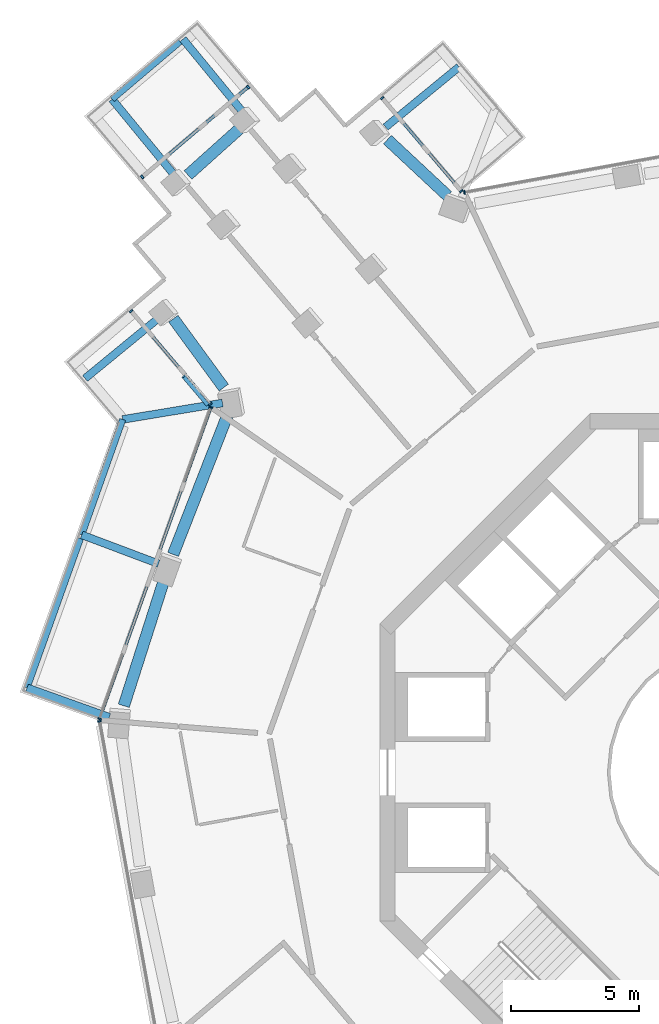
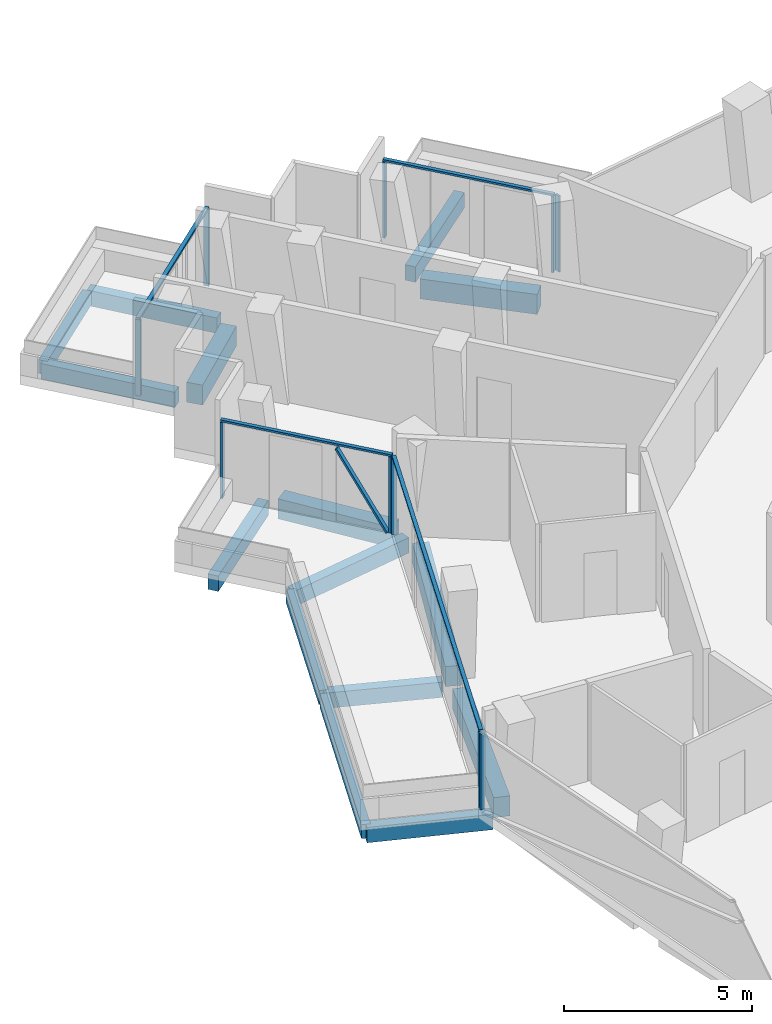
# One storey, part 5 of 21: 15 beams, 15 members, 6 elements without a shape of their own.
"""IFC4 building model written with IfcOpenShell, lengths in metres."""

from ifc_helpers import new_model, si_unit, direction, frame, origin, origin_2d, place, context, subcontext, project, spatial, rectangle, extrude, material, layer, layer_set, material_profile, profile_set, type_object, element, aggregate, save


model = new_model("IFC4")

# Units and contexts
model_context = context("Model", 3, precision=1e-05, world=origin(), true_north=direction((0.0, 1.0)))
body_context = subcontext(model_context, "Body", "Model", "MODEL_VIEW")
ifc_project = project(units=[si_unit("LENGTHUNIT", "METRE"), si_unit("AREAUNIT", "SQUARE_METRE"), si_unit("VOLUMEUNIT", "CUBIC_METRE"), si_unit("PLANEANGLEUNIT", "RADIAN"), si_unit("MASSUNIT", "GRAM", prefix="KILO")], contexts=[model_context])

# Site, building, storey
site_placement = place(None, origin())
site = spatial("IfcSite", under=ifc_project, at=site_placement, CompositionType="ELEMENT")
building_placement = place(site_placement, origin())
building = spatial("IfcBuilding", under=site, at=building_placement, Name="Verdalira Terraces Hotel", CompositionType="ELEMENT")
storey_placement = place(building_placement, frame((0.0, 0.0, 197.5)))
storey = spatial("IfcBuildingStorey", under=building, at=storey_placement, Name="L48", CompositionType="ELEMENT", Elevation=197.5)

# Beams
ifc_material_1 = material(Name="Concrete C40", Category="concrete")
ifc_material_profile_1 = material_profile(ifc_material_1, rectangle(XDim=0.300049, YDim=0.5, at=origin_2d()), Name="RC 300X500")
ifc_profile_set_1 = profile_set([ifc_material_profile_1], Name="Concrete C40")
beam_type_1 = type_object("IfcBeamType", Name="Balcony cantilever beam RC 300X500 C40", PredefinedType="BEAM", material=ifc_profile_set_1)
beam_1_placement = place(storey_placement, frame((-13.774902, 25.181396, -0.560059), z_axis=(0.773188394, 0.634176401, 0.0), x_axis=(-0.634176401, 0.773188394, 0.0)))
element("IfcBeam", 1, at=beam_1_placement, inside=storey, type_object=beam_type_1, Name="Balcony cantilever beam R00-2", PredefinedType="BEAM", context=body_context, shape_type="SweptSolid", body=[
    extrude(rectangle(XDim=0.300049, YDim=0.5, at=origin_2d()), origin(), (0.0, 0.0, 1.0), 3.709229),
])
beam_2_placement = place(storey_placement, frame((-19.332764, 25.751709, -0.560059), z_axis=(-0.634184359, 0.773181866, 0.0), x_axis=(-0.773181866, -0.634184359, 0.0)))
element("IfcBeam", 2, at=beam_2_placement, inside=storey, type_object=beam_type_1, Name="Balcony cantilever beam R05-1", PredefinedType="BEAM", context=body_context, shape_type="SweptSolid", body=[
    extrude(rectangle(XDim=0.300049, YDim=0.5, at=origin_2d()), origin(), (0.0, 0.0, 1.0), 3.706055),
])
beam_3_placement = place(storey_placement, frame((-22.032715, 23.322998, -0.560059), z_axis=(-0.634210583, 0.773160356, 0.0), x_axis=(-0.773160356, -0.634210583, 0.0)))
element("IfcBeam", 3, at=beam_3_placement, inside=storey, type_object=beam_type_1, Name="Balcony cantilever beam R05-2", PredefinedType="BEAM", context=body_context, shape_type="SweptSolid", body=[
    extrude(rectangle(XDim=0.300049, YDim=0.5, at=origin_2d()), origin(), (0.0, 0.0, 1.0), 3.811035),
])
beam_4_placement = place(storey_placement, frame((-20.139404, 14.415283, -0.560059), z_axis=(-0.986678099, -0.162684756, 0.0), x_axis=(0.162684756, -0.986678099, 0.0)))
element("IfcBeam", 4, at=beam_4_placement, inside=storey, type_object=beam_type_1, Name="Balcony cantilever beam R10-1", PredefinedType="BEAM", context=body_context, shape_type="SweptSolid", body=[
    extrude(rectangle(XDim=0.300049, YDim=0.5, at=origin_2d()), origin(), (0.0, 0.0, 1.0), 3.949951),
])
beam_5_placement = place(storey_placement, frame((-22.638672, 8.141357, -0.560059), z_axis=(-0.935823539, 0.35246887, 0.0), x_axis=(-0.35246887, -0.935823539, 0.0)))
element("IfcBeam", 5, at=beam_5_placement, inside=storey, type_object=beam_type_1, Name="Balcony cantilever beam R10-2", PredefinedType="BEAM", context=body_context, shape_type="SweptSolid", body=[
    extrude(rectangle(XDim=0.300049, YDim=0.5, at=origin_2d()), origin(), (0.0, 0.0, 1.0), 3.200684),
])
beam_6_placement = place(storey_placement, frame((-24.558838, 2.153809, -0.560059), z_axis=(-0.941613831, 0.336694806, 0.0), x_axis=(-0.336694806, -0.941613831, 0.0)))
element("IfcBeam", 6, at=beam_6_placement, inside=storey, type_object=beam_type_1, Name="Balcony cantilever beam R10-3", PredefinedType="BEAM", context=body_context, shape_type="SweptSolid", body=[
    extrude(rectangle(XDim=0.300049, YDim=0.5, at=origin_2d()), origin(), (0.0, 0.0, 1.0), 3.408691),
])
beam_7_placement = place(storey_placement, frame((-22.588867, 17.763916, -0.560059), z_axis=(-0.773163693, -0.634206515, 0.0), x_axis=(0.634206515, -0.773163693, 0.0)))
element("IfcBeam", 7, at=beam_7_placement, inside=storey, type_object=beam_type_1, Name="Balcony cantilever beam R10-4", PredefinedType="BEAM", context=body_context, shape_type="SweptSolid", body=[
    extrude(rectangle(XDim=0.300049, YDim=0.5, at=origin_2d()), origin(), (0.0, 0.0, 1.0), 3.772217),
])
ifc_material_2 = material(Name="Concrete C40", Category="concrete")
ifc_material_profile_2 = material_profile(ifc_material_2, rectangle(XDim=0.25, YDim=0.449951, at=origin_2d()), Name="RC 250X450")
ifc_profile_set_2 = profile_set([ifc_material_profile_2], Name="Concrete C40")
beam_type_2 = type_object("IfcBeamType", Name="Balcony edge beam RC 250X450 C40", PredefinedType="BEAM", material=ifc_profile_set_2)
beam_8_placement = place(storey_placement, frame((-21.797607, 28.520264, -0.534912), z_axis=(-0.762443029, -0.647055351, 0.0), x_axis=(0.647055351, -0.762443029, 0.0)))
element("IfcBeam", 8, at=beam_8_placement, inside=storey, type_object=beam_type_2, Name="Balcony edge beam R05-1", PredefinedType="BEAM", context=body_context, shape_type="SweptSolid", body=[
    extrude(rectangle(XDim=0.25, YDim=0.449951, at=origin_2d()), origin(), (0.0, 0.0, 1.0), 3.478516),
])
beam_9_placement = place(storey_placement, frame((-24.036621, 13.772705, -0.534912), z_axis=(-0.33431908, -0.942459947, 0.0), x_axis=(0.942459947, -0.33431908, 0.0)))
element("IfcBeam", 9, at=beam_9_placement, inside=storey, type_object=beam_type_2, Name="Balcony edge beam R10-1", PredefinedType="BEAM", context=body_context, shape_type="SweptSolid", body=[
    extrude(rectangle(XDim=0.25, YDim=0.449951, at=origin_2d()), origin(), (0.0, 0.0, 1.0), 4.778076),
])
beam_10_placement = place(storey_placement, frame((-25.68457, 9.128418, -0.534912), z_axis=(-0.336758727, -0.941590973, 0.0), x_axis=(0.941590973, -0.336758727, 0.0)))
element("IfcBeam", 10, at=beam_10_placement, inside=storey, type_object=beam_type_2, Name="Balcony edge beam R10-2", PredefinedType="BEAM", context=body_context, shape_type="SweptSolid", body=[
    extrude(rectangle(XDim=0.25, YDim=0.449951, at=origin_2d()), origin(), (0.0, 0.0, 1.0), 6.188477),
])

# Curtain wall, members
ifc_material_3 = material(Name="Clear glass", Category="glass")
ifc_layer_1 = layer(ifc_material_3, 0.14990234375)
ifc_layer_set_1 = layer_set([ifc_layer_1], Name="CW1 curtain wall")
curtain_wall_type_1 = type_object("IfcCurtainWallType", Name="CW1 curtain wall", PredefinedType="NOTDEFINED", material=ifc_layer_set_1)
curtain_wall_1_placement = place(storey_placement, origin())
curtain_wall_1 = element("IfcCurtainWall", 11, at=curtain_wall_1_placement, inside=storey, type_object=curtain_wall_type_1, Name="CW1 curtain wall L48 edge 11", PredefinedType="NOTDEFINED")
ifc_material_4 = material(Name="Terracotta frame", Category="masonry")
ifc_material_profile_3 = material_profile(ifc_material_4, rectangle(XDim=0.060059, YDim=0.149902, at=origin_2d()), Name="MU 60x150")
ifc_profile_set_3 = profile_set([ifc_material_profile_3], Name="Terracotta frame")
member_type_1 = type_object("IfcMemberType", Name="CW1 mullion 60x150", PredefinedType="MULLION", material=ifc_profile_set_3)
member_1_placement = place(storey_placement, frame((-20.591797, 14.236328, 0.0), z_axis=(0.0, 0.0, 1.0), x_axis=(-0.336766603, -0.941588156, 0.0)))
member_1 = element("IfcMember", 12, at=member_1_placement, type_object=member_type_1, Name="CW1 mullion", PredefinedType="MULLION", context=body_context, shape_type="SweptSolid", body=[
    extrude(rectangle(XDim=0.060059, YDim=0.149902, at=origin_2d()), origin(), (0.0, 0.0, 1.0), 2.475098),
])
member_2_placement = place(storey_placement, frame((-24.936035, 2.089844, 0.0), z_axis=(0.0, 0.0, 1.0), x_axis=(-0.336766603, -0.941588156, 0.0)))
member_2 = element("IfcMember", 13, at=member_2_placement, type_object=member_type_1, Name="CW1 mullion", PredefinedType="MULLION", context=body_context, shape_type="SweptSolid", body=[
    extrude(rectangle(XDim=0.060059, YDim=0.149902, at=origin_2d()), origin(), (0.0, 0.0, 1.0), 2.475098),
])

# Curtain wall, member
curtain_wall_2_placement = place(storey_placement, origin())
curtain_wall_2 = element("IfcCurtainWall", 14, at=curtain_wall_2_placement, inside=storey, type_object=curtain_wall_type_1, Name="CW1 curtain wall L48 edge 12", PredefinedType="NOTDEFINED")
member_3_placement = place(storey_placement, frame((-24.944092, 1.993408, 0.0), z_axis=(0.0, 0.0, 1.0), x_axis=(0.179145645, -0.983822564, 0.0)))
member_3 = element("IfcMember", 15, at=member_3_placement, type_object=member_type_1, Name="CW1 mullion", PredefinedType="MULLION", context=body_context, shape_type="SweptSolid", body=[
    extrude(rectangle(XDim=0.060059, YDim=0.149902, at=origin_2d()), origin(), (0.0, 0.0, 1.0), 2.475098),
])
aggregate(curtain_wall_2, [member_3])

curtain_wall_3_placement = place(storey_placement, origin())
curtain_wall_3 = element("IfcCurtainWall", 16, at=curtain_wall_3_placement, inside=storey, type_object=curtain_wall_type_1, Name="CW1 curtain wall L48 edge 41", PredefinedType="NOTDEFINED")
member_4_placement = place(storey_placement, frame((-10.697754, 22.633057, 0.0), z_axis=(0.0, 0.0, 1.0), x_axis=(-0.983822564, -0.179145645, 0.0)))
member_4 = element("IfcMember", 17, at=member_4_placement, type_object=member_type_1, Name="CW1 mullion", PredefinedType="MULLION", context=body_context, shape_type="SweptSolid", body=[
    extrude(rectangle(XDim=0.060059, YDim=0.149902, at=origin_2d()), origin(), (0.0, 0.0, 1.0), 2.475098),
])
aggregate(curtain_wall_3, [member_4])

# Member
ifc_material_5 = material(Name="Terracotta frame", Category="masonry")
ifc_material_profile_4 = material_profile(ifc_material_5, rectangle(XDim=0.110107, YDim=0.064941, at=origin_2d()), Name="TR 65x110")
ifc_profile_set_4 = profile_set([ifc_material_profile_4], Name="Terracotta frame")
member_type_2 = type_object("IfcMemberType", Name="CW1 transom 65x110", PredefinedType="USERDEFINED", material=ifc_profile_set_4)
member_5_placement = place(storey_placement, frame((-20.581787, 14.264404, 2.507568), z_axis=(-0.336775527, -0.941584964, 0.0), x_axis=(0.941584964, -0.336775527, 0.0)))
member_5 = element("IfcMember", 18, at=member_5_placement, type_object=member_type_2, Name="CW1 transom", ObjectType="TRANSOM", PredefinedType="USERDEFINED", context=body_context, shape_type="SweptSolid", body=[
    extrude(rectangle(XDim=0.110107, YDim=0.064941, at=origin_2d()), origin(), (0.0, 0.0, 1.0), 12.959717),
])

aggregate(curtain_wall_1, [member_1, member_2, member_5])

# Curtain wall, members
ifc_material_6 = material(Name="Clear glass", Category="glass")
ifc_layer_2 = layer(ifc_material_6, 0.14990234375)
ifc_layer_set_2 = layer_set([ifc_layer_2], Name="CW2 curtain wall")
curtain_wall_type_2 = type_object("IfcCurtainWallType", Name="CW2 curtain wall", PredefinedType="NOTDEFINED", material=ifc_layer_set_2)
curtain_wall_4_placement = place(storey_placement, origin())
curtain_wall_4 = element("IfcCurtainWall", 19, at=curtain_wall_4_placement, inside=storey, type_object=curtain_wall_type_2, Name="CW2 curtain wall L48 edge 0", PredefinedType="NOTDEFINED")
ifc_material_7 = material(Name="Terracotta frame", Category="masonry")
ifc_material_profile_5 = material_profile(ifc_material_7, rectangle(XDim=0.070068, YDim=0.149902, at=origin_2d()), Name="MU 70x150")
ifc_profile_set_5 = profile_set([ifc_material_profile_5], Name="Terracotta frame")
member_type_3 = type_object("IfcMemberType", Name="CW2 mullion 70x150", PredefinedType="MULLION", material=ifc_profile_set_5)
member_6_placement = place(storey_placement, frame((-10.820557, 22.679688, 0.0), z_axis=(0.0, 0.0, 1.0), x_axis=(-0.647055962, 0.762442511, 0.0)))
member_6 = element("IfcMember", 20, at=member_6_placement, type_object=member_type_3, Name="CW2 mullion", PredefinedType="MULLION", context=body_context, shape_type="SweptSolid", body=[
    extrude(rectangle(XDim=0.070068, YDim=0.149902, at=origin_2d()), origin(), (0.0, 0.0, 1.0), 2.475098),
])
member_7_placement = place(storey_placement, frame((-13.907471, 26.317139, 0.0), z_axis=(0.0, 0.0, 1.0), x_axis=(-0.647055962, 0.762442511, 0.0)))
member_7 = element("IfcMember", 21, at=member_7_placement, type_object=member_type_3, Name="CW2 mullion", PredefinedType="MULLION", context=body_context, shape_type="SweptSolid", body=[
    extrude(rectangle(XDim=0.070068, YDim=0.149902, at=origin_2d()), origin(), (0.0, 0.0, 1.0), 2.475098),
])

curtain_wall_5_placement = place(storey_placement, origin())
curtain_wall_5 = element("IfcCurtainWall", 22, at=curtain_wall_5_placement, inside=storey, type_object=curtain_wall_type_2, Name="CW2 curtain wall L48 edge 10", PredefinedType="NOTDEFINED")
member_8_placement = place(storey_placement, frame((-23.704834, 18.002441, 0.0), z_axis=(0.0, 0.0, 1.0), x_axis=(0.647055962, -0.762442511, 0.0)))
member_8 = element("IfcMember", 23, at=member_8_placement, type_object=member_type_3, Name="CW2 mullion", PredefinedType="MULLION", context=body_context, shape_type="SweptSolid", body=[
    extrude(rectangle(XDim=0.070068, YDim=0.149902, at=origin_2d()), origin(), (0.0, 0.0, 1.0), 2.475098),
])
member_9_placement = place(storey_placement, frame((-20.61792, 14.36499, 0.0), z_axis=(0.0, 0.0, 1.0), x_axis=(0.647055962, -0.762442511, 0.0)))
member_9 = element("IfcMember", 24, at=member_9_placement, type_object=member_type_3, Name="CW2 mullion", PredefinedType="MULLION", context=body_context, shape_type="SweptSolid", body=[
    extrude(rectangle(XDim=0.070068, YDim=0.149902, at=origin_2d()), origin(), (0.0, 0.0, 1.0), 2.475098),
])

# Member
ifc_material_8 = material(Name="Terracotta frame", Category="masonry")
ifc_material_profile_6 = material_profile(ifc_material_8, rectangle(XDim=0.11499, YDim=0.064941, at=origin_2d()), Name="TR 65x115")
ifc_profile_set_6 = profile_set([ifc_material_profile_6], Name="Terracotta frame")
member_type_4 = type_object("IfcMemberType", Name="CW2 transom 65x115", PredefinedType="USERDEFINED", material=ifc_profile_set_6)
member_10_placement = place(storey_placement, frame((-10.797852, 22.652832, 2.507568), z_axis=(-0.647028982, 0.762465407, 0.0), x_axis=(-0.762465407, -0.647028982, 0.0)))
member_10 = element("IfcMember", 25, at=member_10_placement, type_object=member_type_4, Name="CW2 transom", ObjectType="TRANSOM", PredefinedType="USERDEFINED", context=body_context, shape_type="SweptSolid", body=[
    extrude(rectangle(XDim=0.11499, YDim=0.064941, at=origin_2d()), origin(), (0.0, 0.0, 1.0), 4.841064),
])

aggregate(curtain_wall_4, [member_6, member_7, member_10])

member_11_placement = place(storey_placement, frame((-23.727539, 18.029297, 2.507568), z_axis=(0.647028982, -0.762465407, 0.0), x_axis=(0.762465407, 0.647028982, 0.0)))
member_11 = element("IfcMember", 26, at=member_11_placement, type_object=member_type_4, Name="CW2 transom", ObjectType="TRANSOM", PredefinedType="USERDEFINED", context=body_context, shape_type="SweptSolid", body=[
    extrude(rectangle(XDim=0.11499, YDim=0.064941, at=origin_2d()), origin(), (0.0, 0.0, 1.0), 4.841064),
])

# Curtain wall, members
ifc_material_9 = material(Name="Clear glass", Category="glass")
ifc_layer_3 = layer(ifc_material_9, 0.14990234375)
ifc_layer_set_3 = layer_set([ifc_layer_3], Name="CW3 curtain wall")
curtain_wall_type_3 = type_object("IfcCurtainWallType", Name="CW3 curtain wall", PredefinedType="NOTDEFINED", material=ifc_layer_set_3)
curtain_wall_6_placement = place(storey_placement, origin())
curtain_wall_6 = element("IfcCurtainWall", 27, at=curtain_wall_6_placement, inside=storey, type_object=curtain_wall_type_3, Name="CW3 curtain wall L48 edge 5", PredefinedType="NOTDEFINED")
ifc_material_10 = material(Name="Terracotta frame", Category="masonry")
ifc_material_profile_7 = material_profile(ifc_material_10, rectangle(XDim=0.080078, YDim=0.149902, at=origin_2d()), Name="MU 80x150")
ifc_profile_set_7 = profile_set([ifc_material_profile_7], Name="Terracotta frame")
member_type_5 = type_object("IfcMemberType", Name="CW3 mullion 80x150", PredefinedType="MULLION", material=ifc_profile_set_7)
member_12_placement = place(storey_placement, frame((-19.140625, 26.741943, 0.0), z_axis=(0.0, 0.0, 1.0), x_axis=(-0.762442511, -0.647055962, 0.0)))
member_12 = element("IfcMember", 28, at=member_12_placement, type_object=member_type_5, Name="CW3 mullion", PredefinedType="MULLION", context=body_context, shape_type="SweptSolid", body=[
    extrude(rectangle(XDim=0.080078, YDim=0.149902, at=origin_2d()), origin(), (0.0, 0.0, 1.0), 2.475098),
])
member_13_placement = place(storey_placement, frame((-23.272949, 23.235107, 0.0), z_axis=(0.0, 0.0, 1.0), x_axis=(-0.762442511, -0.647055962, 0.0)))
member_13 = element("IfcMember", 29, at=member_13_placement, type_object=member_type_5, Name="CW3 mullion", PredefinedType="MULLION", context=body_context, shape_type="SweptSolid", body=[
    extrude(rectangle(XDim=0.080078, YDim=0.149902, at=origin_2d()), origin(), (0.0, 0.0, 1.0), 2.475098),
])
ifc_material_11 = material(Name="Terracotta frame", Category="masonry")
ifc_material_profile_8 = material_profile(ifc_material_11, rectangle(XDim=0.120117, YDim=0.064941, at=origin_2d()), Name="TR 65x120")
ifc_profile_set_8 = profile_set([ifc_material_profile_8], Name="Terracotta frame")
member_type_6 = type_object("IfcMemberType", Name="CW3 transom 65x120", PredefinedType="USERDEFINED", material=ifc_profile_set_8)
member_14_placement = place(storey_placement, frame((-19.110107, 26.767822, 2.507568), z_axis=(-0.762456044, -0.647040015, 0.0), x_axis=(0.647040015, -0.762456044, 0.0)))
member_14 = element("IfcMember", 30, at=member_14_placement, type_object=member_type_6, Name="CW3 transom", ObjectType="TRANSOM", PredefinedType="USERDEFINED", context=body_context, shape_type="SweptSolid", body=[
    extrude(rectangle(XDim=0.120117, YDim=0.064941, at=origin_2d()), origin(), (0.0, 0.0, 1.0), 5.499756),
])
aggregate(curtain_wall_6, [member_12, member_13, member_14])

# Member
ifc_material_12 = material(Name="Terracotta frame", Category="masonry")
ifc_material_profile_9 = material_profile(ifc_material_12, rectangle(XDim=0.149902, YDim=0.060059, at=origin_2d()), Name="GB 60x150")
ifc_profile_set_9 = profile_set([ifc_material_profile_9], Name="Terracotta frame")
member_type_7 = type_object("IfcMemberType", Name="Diagonal glazing bar 60x150", PredefinedType="USERDEFINED", material=ifc_profile_set_9)
member_15_placement = place(storey_placement, frame((-21.657227, 15.449219, 2.430664), z_axis=(0.333893027, -0.393485483, -0.856553922), x_axis=(0.762483748, 0.647007368, 0.0)))
member_15 = element("IfcMember", 31, at=member_15_placement, type_object=member_type_7, Name="Diagonal glazing bar", ObjectType="GLAZING BAR", PredefinedType="USERDEFINED", context=body_context, shape_type="SweptSolid", body=[
    extrude(rectangle(XDim=0.149902, YDim=0.060059, at=origin_2d()), origin(), (0.0, 0.0, 1.0), 2.785889),
])

aggregate(curtain_wall_5, [member_8, member_9, member_11, member_15])

# Beams
ifc_material_13 = material(Name="Concrete C50", Category="concrete")
ifc_material_profile_10 = material_profile(ifc_material_13, rectangle(XDim=0.449951, YDim=0.649902, at=origin_2d()), Name="RC 450X650")
ifc_profile_set_10 = profile_set([ifc_material_profile_10], Name="Concrete C50")
beam_type_3 = type_object("IfcBeamType", Name="Spandrel beam RC 450X650 C50", PredefinedType="SPANDREL", material=ifc_profile_set_10)
beam_11_placement = place(storey_placement, frame((-11.355957, 22.501465, -0.63501), z_axis=(-0.730858137, 0.682529402, 0.0), x_axis=(-0.682529402, -0.730858137, 0.0)))
element("IfcBeam", 32, at=beam_11_placement, inside=storey, type_object=beam_type_3, Name="Spandrel beam B01", PredefinedType="SPANDREL", context=body_context, shape_type="SweptSolid", body=[
    extrude(rectangle(XDim=0.449951, YDim=0.649902, at=origin_2d()), origin(), (0.0, 0.0, 1.0), 3.212891),
])
beam_12_placement = place(storey_placement, frame((-19.327637, 25.248535, -0.63501), z_axis=(-0.744514636, -0.667606139, 0.0), x_axis=(0.667606139, -0.744514636, 0.0)))
element("IfcBeam", 33, at=beam_12_placement, inside=storey, type_object=beam_type_3, Name="Spandrel beam B02", PredefinedType="SPANDREL", context=body_context, shape_type="SweptSolid", body=[
    extrude(rectangle(XDim=0.449951, YDim=0.649902, at=origin_2d()), origin(), (0.0, 0.0, 1.0), 2.901367),
])
beam_13_placement = place(storey_placement, frame((-22.057373, 17.704346, -0.63501), z_axis=(0.590301491, -0.807182848, 0.0), x_axis=(0.807182848, 0.590301491, 0.0)))
element("IfcBeam", 34, at=beam_13_placement, inside=storey, type_object=beam_type_3, Name="Spandrel beam B03", PredefinedType="SPANDREL", context=body_context, shape_type="SweptSolid", body=[
    extrude(rectangle(XDim=0.449951, YDim=0.649902, at=origin_2d()), origin(), (0.0, 0.0, 1.0), 3.329834),
])
beam_14_placement = place(storey_placement, frame((-19.952637, 13.920166, -0.63501), z_axis=(-0.36384825, -0.931458239, 0.0), x_axis=(0.931458239, -0.36384825, 0.0)))
element("IfcBeam", 35, at=beam_14_placement, inside=storey, type_object=beam_type_3, Name="Spandrel beam B04", PredefinedType="SPANDREL", context=body_context, shape_type="SweptSolid", body=[
    extrude(rectangle(XDim=0.449951, YDim=0.649902, at=origin_2d()), origin(), (0.0, 0.0, 1.0), 5.813477),
])
beam_15_placement = place(storey_placement, frame((-22.409912, 7.540039, -0.63501), z_axis=(-0.304999341, -0.952352562, 0.0), x_axis=(0.952352562, -0.304999341, 0.0)))
element("IfcBeam", 36, at=beam_15_placement, inside=storey, type_object=beam_type_3, Name="Spandrel beam B05", PredefinedType="SPANDREL", context=body_context, shape_type="SweptSolid", body=[
    extrude(rectangle(XDim=0.449951, YDim=0.649902, at=origin_2d()), origin(), (0.0, 0.0, 1.0), 5.189453),
])

save(model, "model.ifc")
